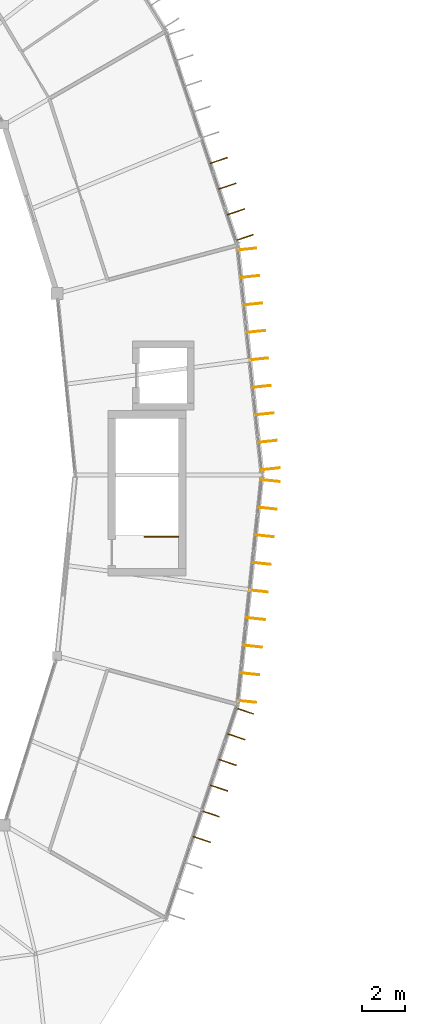
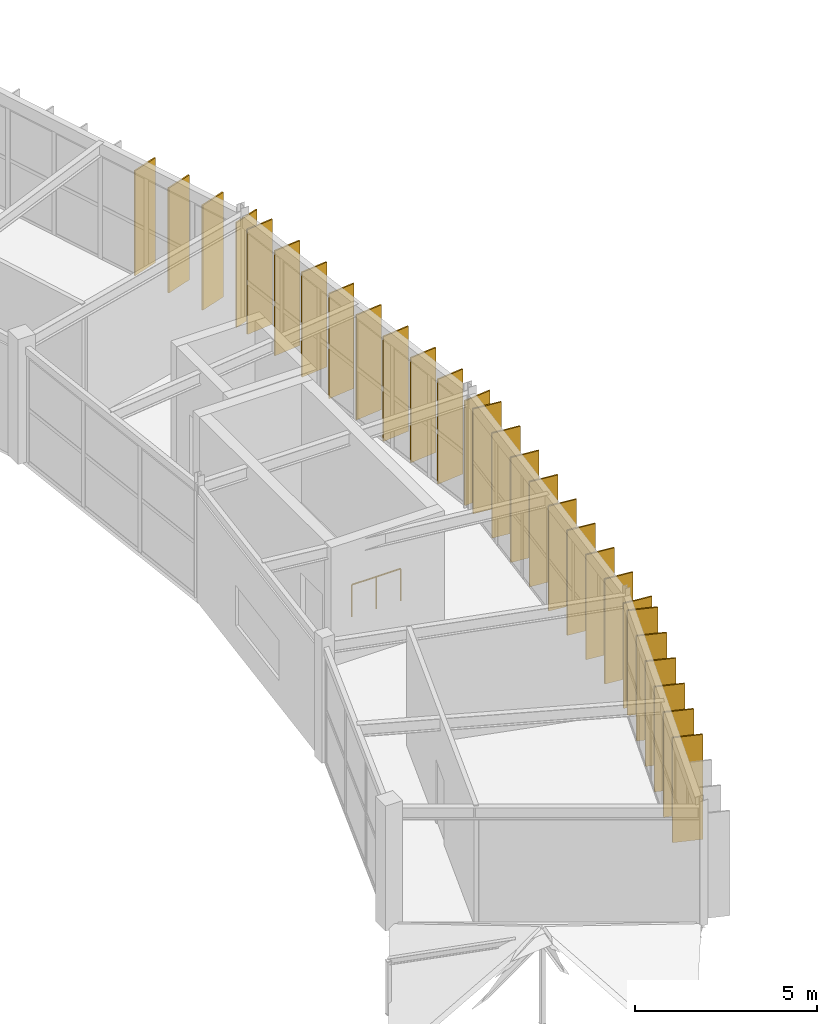
# One storey, part 63 of 66: 28 shading devices, 1 railing.
"""IFC4 building model written with IfcOpenShell, lengths in metres."""

from ifc_helpers import new_model, si_unit, direction, frame, origin, origin_2d, place, context, subcontext, project, spatial, rectangle, circle, extrude, material, layer, layer_set, type_object, element, save


model = new_model("IFC4")

# Units and contexts
model_context = context("Model", 3, precision=1e-05, world=origin(), true_north=direction((0.0, 1.0)))
body_context = subcontext(model_context, "Body", "Model", "MODEL_VIEW")
ifc_project = project(units=[si_unit("LENGTHUNIT", "METRE"), si_unit("AREAUNIT", "SQUARE_METRE"), si_unit("VOLUMEUNIT", "CUBIC_METRE"), si_unit("PLANEANGLEUNIT", "RADIAN"), si_unit("MASSUNIT", "GRAM", prefix="KILO")], contexts=[model_context])

# Site, building, storey
site_placement = place(None, origin())
site = spatial("IfcSite", under=ifc_project, at=site_placement, CompositionType="ELEMENT")
building_placement = place(site_placement, origin())
building = spatial("IfcBuilding", under=site, at=building_placement, Name="Karori Crest Natural Sciences Institute", CompositionType="ELEMENT")
storey_placement = place(building_placement, frame((0.0, 0.0, 30.10009765625)))
storey = spatial("IfcBuildingStorey", under=building, at=storey_placement, Name="L07", CompositionType="ELEMENT", Elevation=30.10009765625)

# Railing
ifc_material_1 = material(Name="Stainless steel 316 stair guard", Category="steel")
railing_type = type_object("IfcRailingType", Name="RLT-STG", PredefinedType="GUARDRAIL", material=ifc_material_1)
railing_placement = place(storey_placement, frame((95.550048828125, 47.050048828125, 0.0)))
element("IfcRailing", 1, at=railing_placement, inside=storey, type_object=railing_type, Name="Stair top well guard RL-0049", PredefinedType="GUARDRAIL", context=body_context, shape_type="SweptSolid", body=[
    extrude(circle(Radius=0.02392578125, at=origin_2d()), frame((0.0, 0.0, 1.076171875), z_axis=(-1.0, 0.0, 0.0), x_axis=(0.0, -1.0, 0.0)), (0.0, 0.0, 1.0), 1.550048828125),
    extrude(circle(Radius=0.02099609375, at=origin_2d()), origin(), (0.0, 0.0, 1.0), 1.052001953125),
    extrude(circle(Radius=0.02099609375, at=origin_2d()), frame((-0.77490234375, 0.0, 0.0)), (0.0, 0.0, 1.0), 1.052001953125),
    extrude(circle(Radius=0.02099609375, at=origin_2d()), frame((-1.550048828125, 0.0, 0.0)), (0.0, 0.0, 1.0), 1.052001953125),
])

# Shading devices
ifc_material_2 = material(Name="Anodised architectural aluminium 6063-T6", Category="aluminium")
ifc_layer = layer(ifc_material_2, 0.044921875, Name="Anodised architectural aluminium 6063-T6")
ifc_layer_set = layer_set([ifc_layer], Name="Anodised architectural aluminium 6063-T6")
shading_device_type = type_object("IfcShadingDeviceType", Name="SDT-FIN", PredefinedType="USERDEFINED", material=ifc_layer_set)
for number, where, z_axis, x_axis, name in (
    (2, (98.606201171875, 39.035888671875, 0.0), (0.0, 0.0, 1.0), (0.948197867933, -0.317680347595, 0.0), "Vertical solar fin FN-1199"),
    (3, (98.21044921875, 37.855224609375, 0.0), (0.0, 0.0, 1.0), (0.948197867933, -0.317680347595, 0.0), "Vertical solar fin FN-1200"),
    (4, (97.81494140625, 36.67431640625, 0.0), (0.0, 0.0, 1.0), (0.948197867933, -0.317680347595, 0.0), "Vertical solar fin FN-1201"),
    (5, (97.419189453125, 35.49365234375, 0.0), (0.0, 0.0, 1.0), (0.948197867933, -0.317680347595, 0.0), "Vertical solar fin FN-1202"),
    (6, (97.023681640625, 34.31298828125, 0.0), (0.0, 0.0, 1.0), (0.948197867933, -0.317680347595, 0.0), "Vertical solar fin FN-1203"),
    (7, (96.628173828125, 33.132080078125, 0.0), (0.0, 0.0, 1.0), (0.948197867933, -0.317680347595, 0.0), "Vertical solar fin FN-1204"),
    (8, (99.783447265625, 49.629150390625, 0.0), (0.0, 0.0, 1.0), (0.994378303702, -0.105885736186, 0.0), "Vertical solar fin FN-1208"),
    (9, (99.6484375, 48.35986328125, 0.0), (0.0, 0.0, 1.0), (0.994378303702, -0.105885736186, 0.0), "Vertical solar fin FN-1209"),
    (10, (99.51318359375, 47.0908203125, 0.0), (0.0, 0.0, 1.0), (0.994378303702, -0.105885736186, 0.0), "Vertical solar fin FN-1210"),
    (11, (99.3779296875, 45.821533203125, 0.0), (0.0, 0.0, 1.0), (0.994378303702, -0.105885736186, 0.0), "Vertical solar fin FN-1211"),
    (12, (99.242919921875, 44.55224609375, 0.0), (0.0, 0.0, 1.0), (0.994378303702, -0.105885736186, 0.0), "Vertical solar fin FN-1212"),
    (13, (99.107666015625, 43.282958984375, 0.0), (0.0, 0.0, 1.0), (0.994378303702, -0.105885736186, 0.0), "Vertical solar fin FN-1213"),
    (14, (98.97265625, 42.013916015625, 0.0), (0.0, 0.0, 1.0), (0.994378303702, -0.105885736186, 0.0), "Vertical solar fin FN-1214"),
    (15, (98.83740234375, 40.74462890625, 0.0), (0.0, 0.0, 1.0), (0.994378303702, -0.105885736186, 0.0), "Vertical solar fin FN-1215"),
    (16, (98.702392578125, 39.475341796875, 0.0), (0.0, 0.0, 1.0), (0.994378303702, -0.105885736186, 0.0), "Vertical solar fin FN-1216"),
    (17, (98.707275390625, 60.27880859375, 0.0), (0.0, 0.0, 1.0), (0.994378488506, 0.105884000668, 0.0), "Vertical solar fin FN-1217"),
    (18, (98.841796875, 59.015380859375, 0.0), (0.0, 0.0, 1.0), (0.994378488506, 0.105884000668, 0.0), "Vertical solar fin FN-1218"),
    (19, (98.976318359375, 57.751708984375, 0.0), (0.0, 0.0, 1.0), (0.994378488506, 0.105884000668, 0.0), "Vertical solar fin FN-1219"),
    (20, (99.11083984375, 56.48828125, 0.0), (0.0, 0.0, 1.0), (0.994378488506, 0.105884000668, 0.0), "Vertical solar fin FN-1220"),
    (21, (99.245361328125, 55.224853515625, 0.0), (0.0, 0.0, 1.0), (0.994378488506, 0.105884000668, 0.0), "Vertical solar fin FN-1221"),
    (22, (99.3798828125, 53.961181640625, 0.0), (0.0, 0.0, 1.0), (0.994378488506, 0.105884000668, 0.0), "Vertical solar fin FN-1222"),
    (23, (99.514404296875, 52.69775390625, 0.0), (0.0, 0.0, 1.0), (0.994378488506, 0.105884000668, 0.0), "Vertical solar fin FN-1223"),
    (24, (99.64892578125, 51.434326171875, 0.0), (0.0, 0.0, 1.0), (0.994378488506, 0.105884000668, 0.0), "Vertical solar fin FN-1224"),
    (25, (99.783447265625, 50.1708984375, 0.0), (0.0, 0.0, 1.0), (0.994378488506, 0.105884000668, 0.0), "Vertical solar fin FN-1225"),
    (26, (97.40380859375, 64.352294921875, 0.0), (0.0, 0.0, 1.0), (0.948197867933, 0.317680347595, 0.0), "Vertical solar fin FN-1231"),
    (27, (97.799560546875, 63.171630859375, 0.0), (0.0, 0.0, 1.0), (0.948197867933, 0.317680347595, 0.0), "Vertical solar fin FN-1232"),
    (28, (98.195068359375, 61.99072265625, 0.0), (0.0, 0.0, 1.0), (0.948197867933, 0.317680347595, 0.0), "Vertical solar fin FN-1233"),
    (29, (98.5908203125, 60.81005859375, 0.0), (0.0, 0.0, 1.0), (0.948197867933, 0.317680347595, 0.0), "Vertical solar fin FN-1234"),
):
    element("IfcShadingDevice", number, at=place(storey_placement, frame(where, z_axis=z_axis, x_axis=x_axis)), inside=storey, type_object=shading_device_type, Name=name, ObjectType="SOLAR_FIN", PredefinedType="USERDEFINED", context=body_context, shape_type="SweptSolid", body=[
        extrude(rectangle(XDim=0.85009765625, YDim=0.044921875, at=origin_2d()), origin(), (0.0, 0.0, 1.0), 3.52490234375),
    ])

save(model, "model.ifc")
